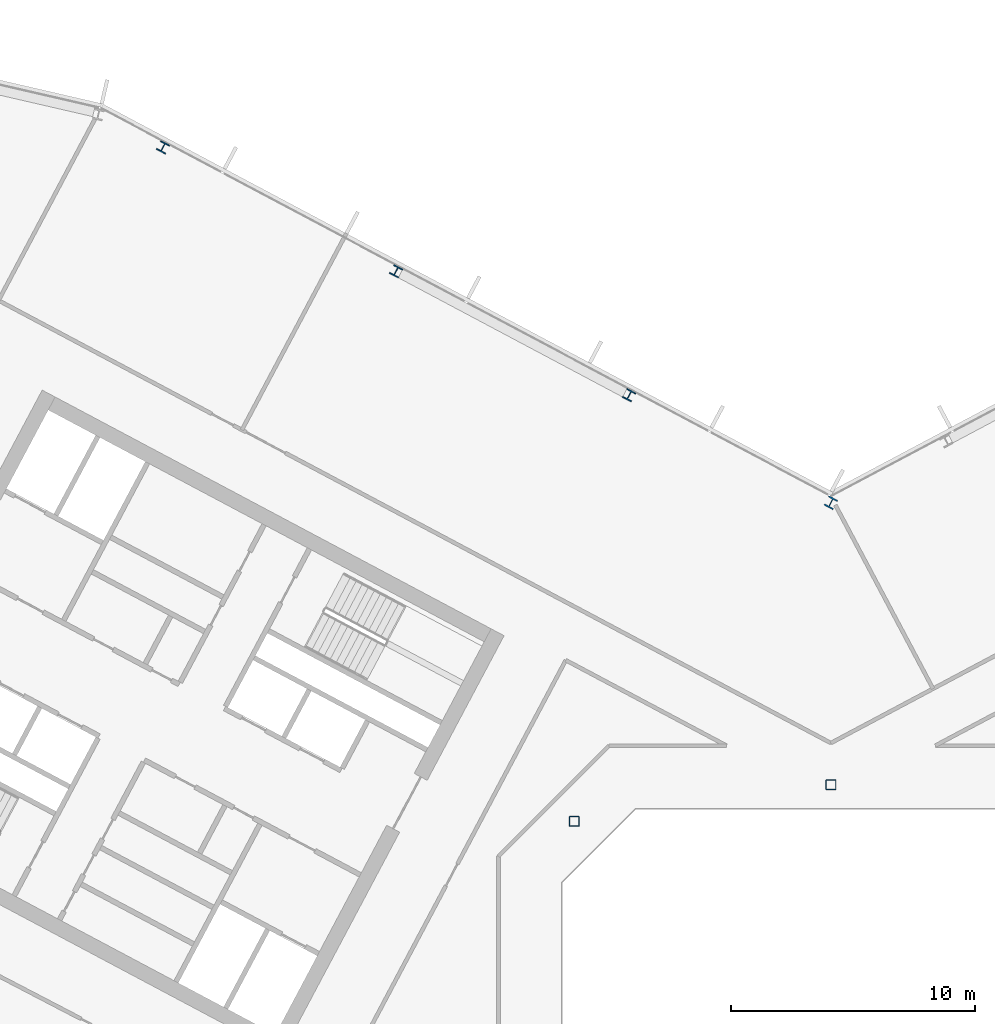
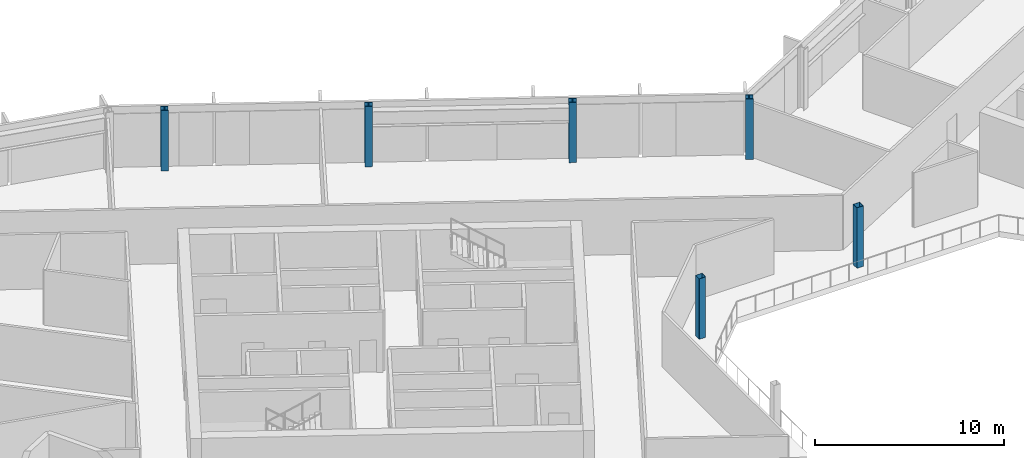
# One storey, part 4 of 27: 6 columns.
"""IFC4 building model written with IfcOpenShell, lengths in metres."""

from ifc_helpers import new_model, si_unit, direction, frame, origin, origin_2d, place, context, subcontext, project, spatial, hollow_rectangle, i_section, extrude, material, material_profile, profile_set, type_object, element, save


model = new_model("IFC4")

# Units and contexts
model_context = context("Model", 3, precision=1e-05, world=origin(), true_north=direction((0.0, 1.0)))
body_context = subcontext(model_context, "Body", "Model", "MODEL_VIEW")
ifc_project = project(units=[si_unit("LENGTHUNIT", "METRE"), si_unit("AREAUNIT", "SQUARE_METRE"), si_unit("VOLUMEUNIT", "CUBIC_METRE"), si_unit("PLANEANGLEUNIT", "RADIAN"), si_unit("MASSUNIT", "GRAM", prefix="KILO")], contexts=[model_context])

# Site, building, storey
site_placement = place(None, origin())
site = spatial("IfcSite", under=ifc_project, at=site_placement, CompositionType="ELEMENT")
building_placement = place(site_placement, origin())
building = spatial("IfcBuilding", under=site, at=building_placement, Name="Cormorant Relay Tower", CompositionType="ELEMENT")
storey_placement = place(building_placement, frame((0.0, 0.0, 216.89990234375)))
storey = spatial("IfcBuildingStorey", under=building, at=storey_placement, Name="L47", CompositionType="ELEMENT", Elevation=216.89990234375)

# Columns
ifc_material_1 = material(Name="Steel ASTM A500 Grade C (Fy 345 MPa)", Category="steel")
ifc_material_profile_1 = material_profile(ifc_material_1, hollow_rectangle(XDim=0.406494140625, YDim=0.406494140625, WallThickness=0.0146484375, InnerFilletRadius=0.00732421875, OuterFilletRadius=0.022216796875, at=origin_2d()), Name="HSS406x406x15")
ifc_profile_set_1 = profile_set([ifc_material_profile_1], Name="Steel ASTM A500 Grade C (Fy 345 MPa)")
column_type_1 = type_object("IfcColumnType", Name="Column HSS406x406x15", PredefinedType="COLUMN", material=ifc_profile_set_1)
for number, where, z_axis, x_axis, name in (
    (1, (-10.5, 10.5, 0.0), (0.0, 0.0, 1.0), (1.0, 0.0, 0.0), "Column L47-023"),
    (2, (0.0, 12.0, 0.0), (0.0, 0.0, 1.0), (1.0, 0.0, 0.0), "Column L47-025"),
):
    element("IfcColumn", number, at=place(storey_placement, frame(where, z_axis=z_axis, x_axis=x_axis)), inside=storey, type_object=column_type_1, Name=name, PredefinedType="COLUMN", context=body_context, shape_type="SweptSolid", body=[
        extrude(hollow_rectangle(XDim=0.406494140625, YDim=0.406494140625, WallThickness=0.0146484375, InnerFilletRadius=0.00732421875, OuterFilletRadius=0.022216796875, at=origin_2d()), origin(), (0.0, 0.0, 1.0), 3.900146484375),
    ])
ifc_material_2 = material(Name="Steel ASTM A992 (Fy 345 MPa)", Category="steel")
ifc_material_profile_2 = material_profile(ifc_material_2, i_section(OverallWidth=0.40380859375, OverallDepth=0.406494140625, WebThickness=0.027099609375, FlangeThickness=0.043701171875, FilletRadius=0.01513671875, at=origin_2d()), Name="W360x347")
ifc_profile_set_2 = profile_set([ifc_material_profile_2], Name="Steel ASTM A992 (Fy 345 MPa)")
column_type_2 = type_object("IfcColumnType", Name="Column W360x347", PredefinedType="COLUMN", material=ifc_profile_set_2)
for number, where, z_axis, x_axis, name in (
    (3, (-8.251953125, 27.93408203125, 0.0), (0.0, 0.0, 1.0), (-0.882947592859, 0.469471562786, 0.0), "Column L47-033"),
    (4, (-17.7880859375, 33.00390625, 0.0), (0.0, 0.0, 1.0), (-0.882947592859, 0.469471562786, 0.0), "Column L47-037"),
    (5, (-27.322998046875, 38.073974609375, 0.0), (0.0, 0.0, 1.0), (-0.882947592859, 0.469471562786, 0.0), "Column L47-040"),
):
    element("IfcColumn", number, at=place(storey_placement, frame(where, z_axis=z_axis, x_axis=x_axis)), inside=storey, type_object=column_type_2, Name=name, PredefinedType="COLUMN", context=body_context, shape_type="SweptSolid", body=[
        extrude(i_section(OverallWidth=0.40380859375, OverallDepth=0.406494140625, WebThickness=0.027099609375, FlangeThickness=0.043701171875, FilletRadius=0.01513671875, at=origin_2d()), origin(), (0.0, 0.0, 1.0), 3.900146484375),
    ])
ifc_material_3 = material(Name="Steel ASTM A992 (Fy 345 MPa)", Category="steel")
ifc_material_profile_3 = material_profile(ifc_material_3, i_section(OverallWidth=0.41162109375, OverallDepth=0.434326171875, WebThickness=0.035888671875, FlangeThickness=0.057373046875, FilletRadius=0.01513671875, at=origin_2d()), Name="W360x463")
ifc_profile_set_3 = profile_set([ifc_material_profile_3], Name="Steel ASTM A992 (Fy 345 MPa)")
column_type_3 = type_object("IfcColumnType", Name="Column W360x463", PredefinedType="COLUMN", material=ifc_profile_set_3)
column_placement = place(storey_placement, frame((0.0, 23.533935546875, 0.0), z_axis=(0.0, 0.0, 1.0), x_axis=(-0.882947592859, 0.469471562786, 0.0)))
element("IfcColumn", 6, at=column_placement, inside=storey, type_object=column_type_3, Name="Column L47-030", PredefinedType="COLUMN", context=body_context, shape_type="SweptSolid", body=[
    extrude(i_section(OverallWidth=0.41162109375, OverallDepth=0.434326171875, WebThickness=0.035888671875, FlangeThickness=0.057373046875, FilletRadius=0.01513671875, at=origin_2d()), origin(), (0.0, 0.0, 1.0), 3.900146484375),
])

save(model, "model.ifc")
